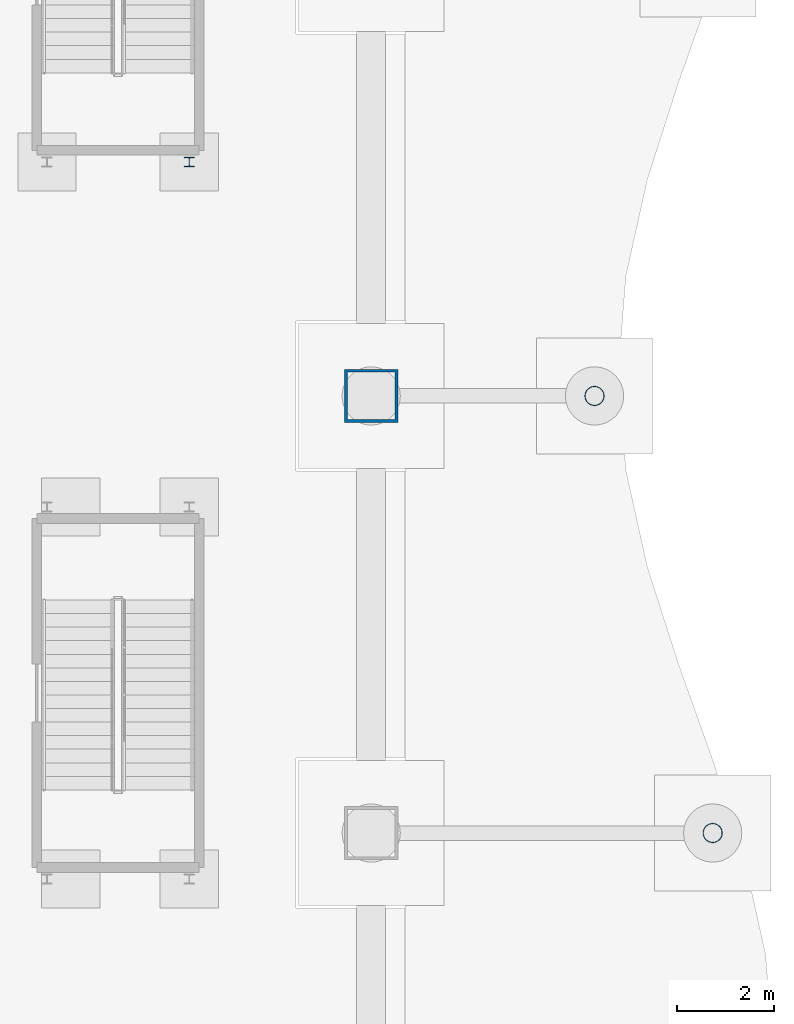
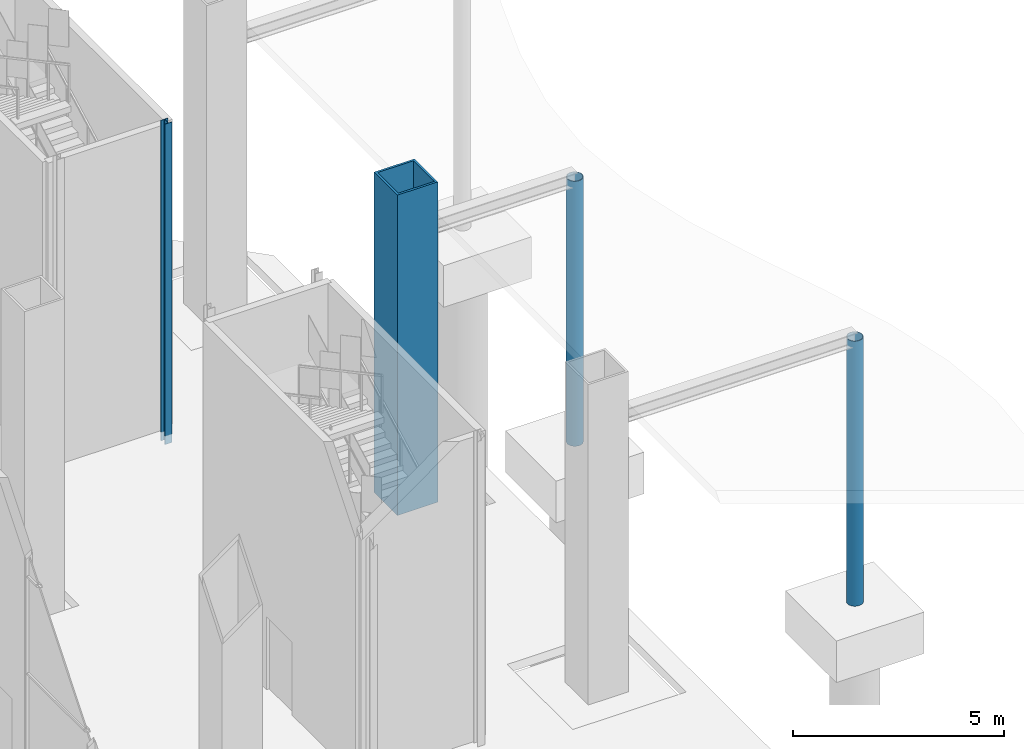
# One storey, part 11 of 38: 4 columns.
"""IFC4 building model written with IfcOpenShell, lengths in metres."""

from ifc_helpers import new_model, si_unit, direction, frame, origin, origin_2d, place, context, subcontext, project, spatial, hollow_rectangle, hollow_circle, i_section, extrude, material, material_profile, profile_set, type_object, element, save


model = new_model("IFC4")

# Units and contexts
model_context = context("Model", 3, precision=1e-05, world=origin(), true_north=direction((0.0, 1.0)))
body_context = subcontext(model_context, "Body", "Model", "MODEL_VIEW")
ifc_project = project(units=[si_unit("LENGTHUNIT", "METRE"), si_unit("AREAUNIT", "SQUARE_METRE"), si_unit("VOLUMEUNIT", "CUBIC_METRE"), si_unit("PLANEANGLEUNIT", "RADIAN"), si_unit("MASSUNIT", "GRAM", prefix="KILO")], contexts=[model_context])

# Site, building, storey
site_placement = place(None, origin())
site = spatial("IfcSite", under=ifc_project, at=site_placement, CompositionType="ELEMENT")
building_placement = place(site_placement, origin())
building = spatial("IfcBuilding", under=site, at=building_placement, Name="Cairn Pilgrim Tower", CompositionType="ELEMENT")
storey_placement = place(building_placement, origin())
storey = spatial("IfcBuildingStorey", under=building, at=storey_placement, Name="L00", CompositionType="ELEMENT", Elevation=0.0)

# Columns
ifc_material_1 = material(Name="Structural steel S460M", Category="steel")
ifc_material_profile_1 = material_profile(ifc_material_1, hollow_circle(Radius=0.203125, WallThickness=0.01611328125, at=origin_2d()), Name="MARQUISE TIP COLUMN CHS 406x16")
ifc_profile_set_1 = profile_set([ifc_material_profile_1], Name="Structural steel S460M")
column_type_1 = type_object("IfcColumnType", Name="MARQUISE TIP COLUMN CHS 406x16", PredefinedType="COLUMN", material=ifc_profile_set_1)
for number, where, z_axis, x_axis, name in (
    (1, (44.84814453125, 4.51025390625, -0.25), (0.0, 0.0, 1.0), (1.0, 0.0, 0.0), "MARQUISE TIP COLUMN E4"),
    (2, (42.408935546875, 13.531005859375, -0.25), (0.0, 0.0, 1.0), (1.0, 0.0, 0.0), "MARQUISE TIP COLUMN E5"),
):
    element("IfcColumn", number, at=place(storey_placement, frame(where, z_axis=z_axis, x_axis=x_axis)), inside=storey, type_object=column_type_1, Name=name, PredefinedType="COLUMN", context=body_context, shape_type="SweptSolid", body=[
        extrude(hollow_circle(Radius=0.203125, WallThickness=0.01611328125, at=origin_2d()), origin(), (0.0, 0.0, 1.0), 7.64990234375),
    ])
ifc_material_profile_2 = material_profile(ifc_material_1, hollow_rectangle(XDim=1.10009765625, YDim=1.10009765625, WallThickness=0.06005859375, at=origin_2d()), Name="BOX 1100x1100x60")
ifc_profile_set_2 = profile_set([ifc_material_profile_2], Name="Structural steel S460M")
column_type_2 = type_object("IfcColumnType", Name="PILOTIS CFT 1100", PredefinedType="COLUMN", material=ifc_profile_set_2)
column_1_placement = place(storey_placement, frame((37.800048828125, 13.531005859375, -0.25), z_axis=(0.0, 0.0, 1.0), x_axis=(1.0, 0.0, 0.0)))
element("IfcColumn", 3, at=column_1_placement, inside=storey, type_object=column_type_2, Name="PILOTIS PL-E5", PredefinedType="COLUMN", context=body_context, shape_type="SweptSolid", body=[
    extrude(hollow_rectangle(XDim=1.10009765625, YDim=1.10009765625, WallThickness=0.06005859375, at=origin_2d()), origin(), (0.0, 0.0, 1.0), 9.25),
])
ifc_material_2 = material(Name="Structural steel S355J2", Category="steel")
ifc_material_profile_3 = material_profile(ifc_material_2, i_section(OverallWidth=0.199951171875, OverallDepth=0.199951171875, WebThickness=0.009033203125, FlangeThickness=0.014892578125, FilletRadius=0.01806640625, at=origin_2d()), Name="HE 200 B")
ifc_profile_set_3 = profile_set([ifc_material_profile_3], Name="Structural steel S355J2")
column_type_3 = type_object("IfcColumnType", Name="STAIR POST HE 200 B", PredefinedType="COLUMN", material=ifc_profile_set_3)
column_2_placement = place(storey_placement, frame((34.044921875, 18.360107421875, -0.25), z_axis=(0.0, 0.0, 1.0), x_axis=(1.0, 0.0, 0.0)))
element("IfcColumn", 4, at=column_2_placement, inside=storey, type_object=column_type_3, Name="STAIR POST LP-ES4-SB", PredefinedType="COLUMN", context=body_context, shape_type="SweptSolid", body=[
    extrude(i_section(OverallWidth=0.199951171875, OverallDepth=0.199951171875, WebThickness=0.009033203125, FlangeThickness=0.014892578125, FilletRadius=0.01806640625, at=origin_2d()), origin(), (0.0, 0.0, 1.0), 9.25),
])

save(model, "model.ifc")
